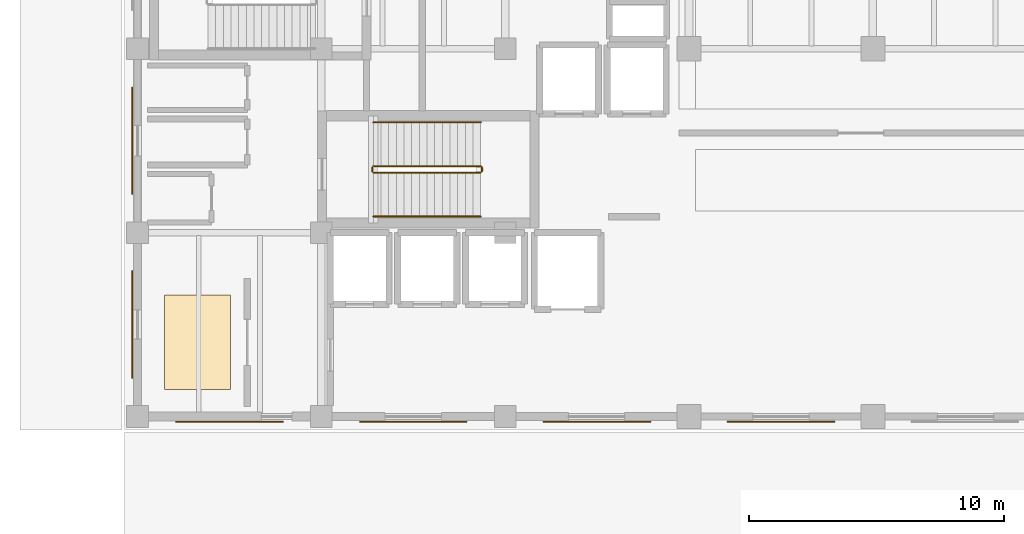
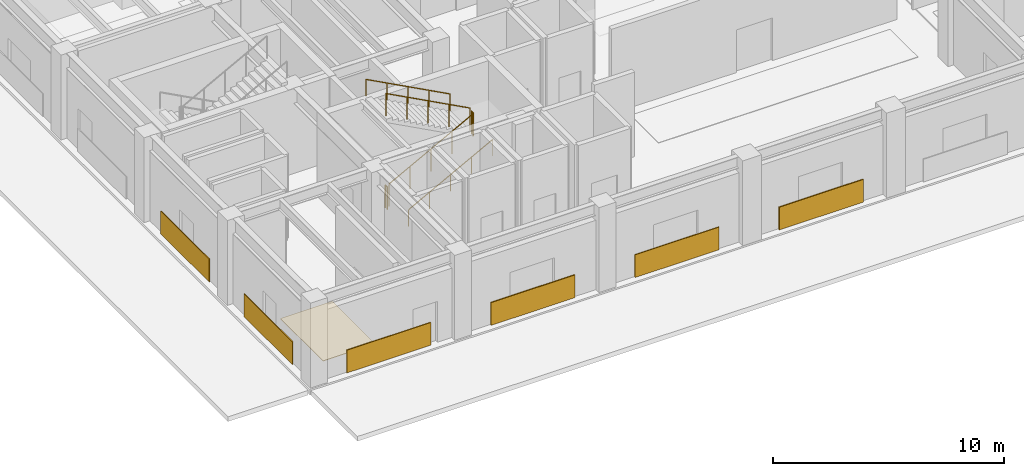
# One storey, part 31 of 39: 7 coverings, 6 railings.
"""IFC4 building model written with IfcOpenShell, lengths in metres."""

from ifc_helpers import new_model, si_unit, direction, frame, origin, origin_2d, place, context, subcontext, project, spatial, polyline, rectangle, circle, outline, extrude, material, layer, layer_set, type_object, element, save


model = new_model("IFC4")

# Units and contexts
model_context = context("Model", 3, precision=1e-05, world=origin(), true_north=direction((0.0, 1.0)))
body_context = subcontext(model_context, "Body", "Model", "MODEL_VIEW")
ifc_project = project(units=[si_unit("LENGTHUNIT", "METRE"), si_unit("AREAUNIT", "SQUARE_METRE"), si_unit("VOLUMEUNIT", "CUBIC_METRE"), si_unit("PLANEANGLEUNIT", "RADIAN"), si_unit("MASSUNIT", "GRAM", prefix="KILO")], contexts=[model_context])

# Site, building, storey
site_placement = place(None, origin())
site = spatial("IfcSite", under=ifc_project, at=site_placement, CompositionType="ELEMENT")
building_placement = place(site_placement, origin())
building = spatial("IfcBuilding", under=site, at=building_placement, Name="Kandorven Conservatory and Botanical Research Centre", CompositionType="ELEMENT")
storey_placement = place(building_placement, origin())
storey = spatial("IfcBuildingStorey", under=building, at=storey_placement, Name="L00", CompositionType="ELEMENT", Elevation=0.0)

# Coverings
ifc_material_1 = material(Name="Dressed Dhrangadhra yellow sandstone cladding", Category="masonry")
ifc_layer_1 = layer(ifc_material_1, 0.044921875)
ifc_layer_set_1 = layer_set([ifc_layer_1], Name="Dressed Dhrangadhra yellow sandstone cladding")
covering_type_1 = type_object("IfcCoveringType", Name="Clad_Sandstone_1", PredefinedType="CLADDING", material=ifc_layer_set_1)
for number, where, z_axis, x_axis, name in (
    (1, (9.60009765625, 5.797607421875, 0.0), (0.0, 0.0, 1.0), (1.0, 0.0, 0.0), "Dhrangadhra sandstone plinth cladding panel S-01"),
    (2, (24.0, 5.797607421875, 0.0), (0.0, 0.0, 1.0), (1.0, 0.0, 0.0), "Dhrangadhra sandstone plinth cladding panel S-03"),
):
    element("IfcCovering", number, at=place(storey_placement, frame(where, z_axis=z_axis, x_axis=x_axis)), inside=storey, type_object=covering_type_1, Name=name, PredefinedType="CLADDING", context=body_context, shape_type="SweptSolid", body=[
        extrude(rectangle(XDim=4.199951171875, YDim=0.044921875, at=origin_2d()), origin(), (0.0, 0.0, 1.0), 1.199951171875),
    ])
for number, where, z_axis, x_axis, name in (
    (3, (5.797607421875, 9.60009765625, 0.0), (0.0, 0.0, 1.0), (1.0, 0.0, 0.0), "Dhrangadhra sandstone plinth cladding panel W-01"),
    (4, (5.797607421875, 16.800048828125, 0.0), (0.0, 0.0, 1.0), (1.0, 0.0, 0.0), "Dhrangadhra sandstone plinth cladding panel W-02"),
):
    element("IfcCovering", number, at=place(storey_placement, frame(where, z_axis=z_axis, x_axis=x_axis)), inside=storey, type_object=covering_type_1, Name=name, PredefinedType="CLADDING", context=body_context, shape_type="SweptSolid", body=[
        extrude(rectangle(XDim=0.044921875, YDim=4.199951171875, at=origin_2d()), origin(), (0.0, 0.0, 1.0), 1.199951171875),
    ])
ifc_material_2 = material(Name="Dressed Dhrangadhra yellow sandstone cladding", Category="masonry")
ifc_layer_2 = layer(ifc_material_2, 0.054931640625)
ifc_layer_set_2 = layer_set([ifc_layer_2], Name="Dressed Dhrangadhra yellow sandstone cladding")
covering_type_2 = type_object("IfcCoveringType", Name="Clad_Sandstone_2", PredefinedType="CLADDING", material=ifc_layer_set_2)
for number, where, z_axis, x_axis, name in (
    (5, (16.800048828125, 5.79248046875, 0.0), (0.0, 0.0, 1.0), (1.0, 0.0, 0.0), "Dhrangadhra sandstone plinth cladding panel S-02"),
    (6, (31.199951171875, 5.79248046875, 0.0), (0.0, 0.0, 1.0), (1.0, 0.0, 0.0), "Dhrangadhra sandstone plinth cladding panel S-04"),
):
    element("IfcCovering", number, at=place(storey_placement, frame(where, z_axis=z_axis, x_axis=x_axis)), inside=storey, type_object=covering_type_2, Name=name, PredefinedType="CLADDING", context=body_context, shape_type="SweptSolid", body=[
        extrude(rectangle(XDim=4.199951171875, YDim=0.054931640625, at=origin_2d()), origin(), (0.0, 0.0, 1.0), 1.199951171875),
    ])
ifc_material_3 = material(Name="Honed Kota stone and epoxy laboratory flooring", Category="masonry")
ifc_layer_3 = layer(ifc_material_3, 0.02490234375)
ifc_layer_set_3 = layer_set([ifc_layer_3], Name="Honed Kota stone and epoxy laboratory flooring")
covering_type_3 = type_object("IfcCoveringType", Name="Cov_Flooring_1", PredefinedType="FLOORING", material=ifc_layer_set_3)
covering_placement = place(storey_placement, origin())
element("IfcCovering", 7, at=covering_placement, inside=storey, type_object=covering_type_3, Name="Floor finish FLR-01 (Fire Command Room)", PredefinedType="FLOORING", context=body_context, shape_type="SweptSolid", body=[
    extrude(outline(polyline([(7.050048828125, 7.050048828125), (9.64990234375, 7.050048828125), (9.64990234375, 10.75), (7.050048828125, 10.75), (7.050048828125, 7.050048828125)])), origin(), (0.0, 0.0, 1.0), 0.02490234375),
])

# Railings
ifc_material_4 = material(Name="Steel S355 (IS 2062 E350)", Category="steel")
railing_type_1 = type_object("IfcRailingType", Name="StairGuard_1150", PredefinedType="BALUSTRADE", material=ifc_material_4)
railing_1_placement = place(storey_placement, frame((15.239990234375, 15.550048828125, 0.159912109375)))
element("IfcRailing", 8, at=railing_1_placement, inside=storey, type_object=railing_type_1, Name="L00 ST-T1 stair guard 1", PredefinedType="BALUSTRADE", context=body_context, shape_type="SweptSolid", body=[
    extrude(circle(Radius=0.02392578125, at=origin_2d()), frame((0.0, 0.0, 1.17578125), z_axis=(0.882351521365, 0.0, 0.470590897432), x_axis=(0.0, 1.0, 0.0)), (0.0, 0.0, 1.0), 4.760009765625),
    extrude(circle(Radius=0.02099609375, at=origin_2d()), origin(), (0.0, 0.0, 1.0), 1.15185546875),
    extrude(circle(Radius=0.02099609375, at=origin_2d()), frame((1.050048828125, 0.0, 0.56005859375)), (0.0, 0.0, 1.0), 1.15185546875),
    extrude(circle(Radius=0.02099609375, at=origin_2d()), frame((2.10009765625, 0.0, 1.1201171875)), (0.0, 0.0, 1.0), 1.15185546875),
    extrude(circle(Radius=0.02099609375, at=origin_2d()), frame((3.14990234375, 0.0, 1.679931640625)), (0.0, 0.0, 1.0), 1.15185546875),
    extrude(circle(Radius=0.02099609375, at=origin_2d()), frame((4.199951171875, 0.0, 2.239990234375)), (0.0, 0.0, 1.0), 1.15185546875),
])
railing_2_placement = place(storey_placement, frame((19.489990234375, 15.60009765625, 2.39990234375)))
element("IfcRailing", 9, at=railing_2_placement, inside=storey, type_object=railing_type_1, Name="L00 ST-T1 stair guard 2", PredefinedType="BALUSTRADE", context=body_context, shape_type="SweptSolid", body=[
    extrude(circle(Radius=0.02392578125, at=origin_2d()), frame((0.0, 0.0, 1.17578125), z_axis=(0.0, 1.0, 0.0), x_axis=(-1.0, 0.0, 0.0)), (0.0, 0.0, 1.0), 0.14990234375),
    extrude(circle(Radius=0.02099609375, at=origin_2d()), origin(), (0.0, 0.0, 1.0), 1.15185546875),
    extrude(circle(Radius=0.02099609375, at=origin_2d()), frame((0.0, 0.14990234375, 0.0)), (0.0, 0.0, 1.0), 1.15185546875),
])
railing_3_placement = place(storey_placement, frame((19.43994140625, 15.800048828125, 2.56005859375)))
element("IfcRailing", 10, at=railing_3_placement, inside=storey, type_object=railing_type_1, Name="L00 ST-T1 stair guard 3", PredefinedType="BALUSTRADE", context=body_context, shape_type="SweptSolid", body=[
    extrude(circle(Radius=0.02392578125, at=origin_2d()), frame((0.0, 0.0, 1.17578125), z_axis=(-0.882351521365, 0.0, 0.470590897432), x_axis=(0.0, -1.0, 0.0)), (0.0, 0.0, 1.0), 4.760009765625),
    extrude(circle(Radius=0.02099609375, at=origin_2d()), origin(), (0.0, 0.0, 1.0), 1.15185546875),
    extrude(circle(Radius=0.02099609375, at=origin_2d()), frame((-1.050048828125, 0.0, 0.56005859375)), (0.0, 0.0, 1.0), 1.15185546875),
    extrude(circle(Radius=0.02099609375, at=origin_2d()), frame((-2.10009765625, 0.0, 1.1201171875)), (0.0, 0.0, 1.0), 1.15185546875),
    extrude(circle(Radius=0.02099609375, at=origin_2d()), frame((-3.14990234375, 0.0, 1.679931640625)), (0.0, 0.0, 1.0), 1.15185546875),
    extrude(circle(Radius=0.02099609375, at=origin_2d()), frame((-4.199951171875, 0.0, 2.239990234375)), (0.0, 0.0, 1.0), 1.15185546875),
])
railing_4_placement = place(storey_placement, frame((15.18994140625, 15.60009765625, 0.0)))
element("IfcRailing", 11, at=railing_4_placement, inside=storey, type_object=railing_type_1, Name="L00 ST-T1 stair guard 4", PredefinedType="BALUSTRADE", context=body_context, shape_type="SweptSolid", body=[
    extrude(circle(Radius=0.02392578125, at=origin_2d()), frame((0.0, 0.0, 1.17578125), z_axis=(0.0, 1.0, 0.0), x_axis=(-1.0, 0.0, 0.0)), (0.0, 0.0, 1.0), 0.14990234375),
    extrude(circle(Radius=0.02099609375, at=origin_2d()), origin(), (0.0, 0.0, 1.0), 1.15185546875),
    extrude(circle(Radius=0.02099609375, at=origin_2d()), frame((0.0, 0.14990234375, 0.0)), (0.0, 0.0, 1.0), 1.15185546875),
])
ifc_material_5 = material(Name="Steel S355 (IS 2062 E350)", Category="steel")
railing_type_2 = type_object("IfcRailingType", Name="StairHandrail_900", PredefinedType="HANDRAIL", material=ifc_material_5)
railing_5_placement = place(storey_placement, frame((15.239990234375, 13.830078125, 0.159912109375)))
element("IfcRailing", 12, at=railing_5_placement, inside=storey, type_object=railing_type_2, Name="L00 ST-T1 stair handrail 1", PredefinedType="HANDRAIL", context=body_context, shape_type="SweptSolid", body=[
    extrude(circle(Radius=0.02392578125, at=origin_2d()), frame((0.0, 0.0, 0.8759765625), z_axis=(0.882351521365, 0.0, 0.470590897432), x_axis=(0.0, 1.0, 0.0)), (0.0, 0.0, 1.0), 4.760009765625),
    extrude(circle(Radius=0.02099609375, at=origin_2d()), origin(), (0.0, 0.0, 1.0), 0.851806640625),
    extrude(circle(Radius=0.02099609375, at=origin_2d()), frame((1.050048828125, 0.0, 0.56005859375)), (0.0, 0.0, 1.0), 0.851806640625),
    extrude(circle(Radius=0.02099609375, at=origin_2d()), frame((2.10009765625, 0.0, 1.1201171875)), (0.0, 0.0, 1.0), 0.851806640625),
    extrude(circle(Radius=0.02099609375, at=origin_2d()), frame((3.14990234375, 0.0, 1.679931640625)), (0.0, 0.0, 1.0), 0.851806640625),
    extrude(circle(Radius=0.02099609375, at=origin_2d()), frame((4.199951171875, 0.0, 2.239990234375)), (0.0, 0.0, 1.0), 0.851806640625),
])
railing_6_placement = place(storey_placement, frame((19.43994140625, 17.52001953125, 2.56005859375)))
element("IfcRailing", 13, at=railing_6_placement, inside=storey, type_object=railing_type_2, Name="L00 ST-T1 stair handrail 2", PredefinedType="HANDRAIL", context=body_context, shape_type="SweptSolid", body=[
    extrude(circle(Radius=0.02392578125, at=origin_2d()), frame((0.0, 0.0, 0.8759765625), z_axis=(-0.882351521365, 0.0, 0.470590897432), x_axis=(0.0, -1.0, 0.0)), (0.0, 0.0, 1.0), 4.760009765625),
    extrude(circle(Radius=0.02099609375, at=origin_2d()), origin(), (0.0, 0.0, 1.0), 0.851806640625),
    extrude(circle(Radius=0.02099609375, at=origin_2d()), frame((-1.050048828125, 0.0, 0.56005859375)), (0.0, 0.0, 1.0), 0.851806640625),
    extrude(circle(Radius=0.02099609375, at=origin_2d()), frame((-2.10009765625, 0.0, 1.1201171875)), (0.0, 0.0, 1.0), 0.851806640625),
    extrude(circle(Radius=0.02099609375, at=origin_2d()), frame((-3.14990234375, 0.0, 1.679931640625)), (0.0, 0.0, 1.0), 0.851806640625),
    extrude(circle(Radius=0.02099609375, at=origin_2d()), frame((-4.199951171875, 0.0, 2.239990234375)), (0.0, 0.0, 1.0), 0.851806640625),
])

save(model, "model.ifc")
